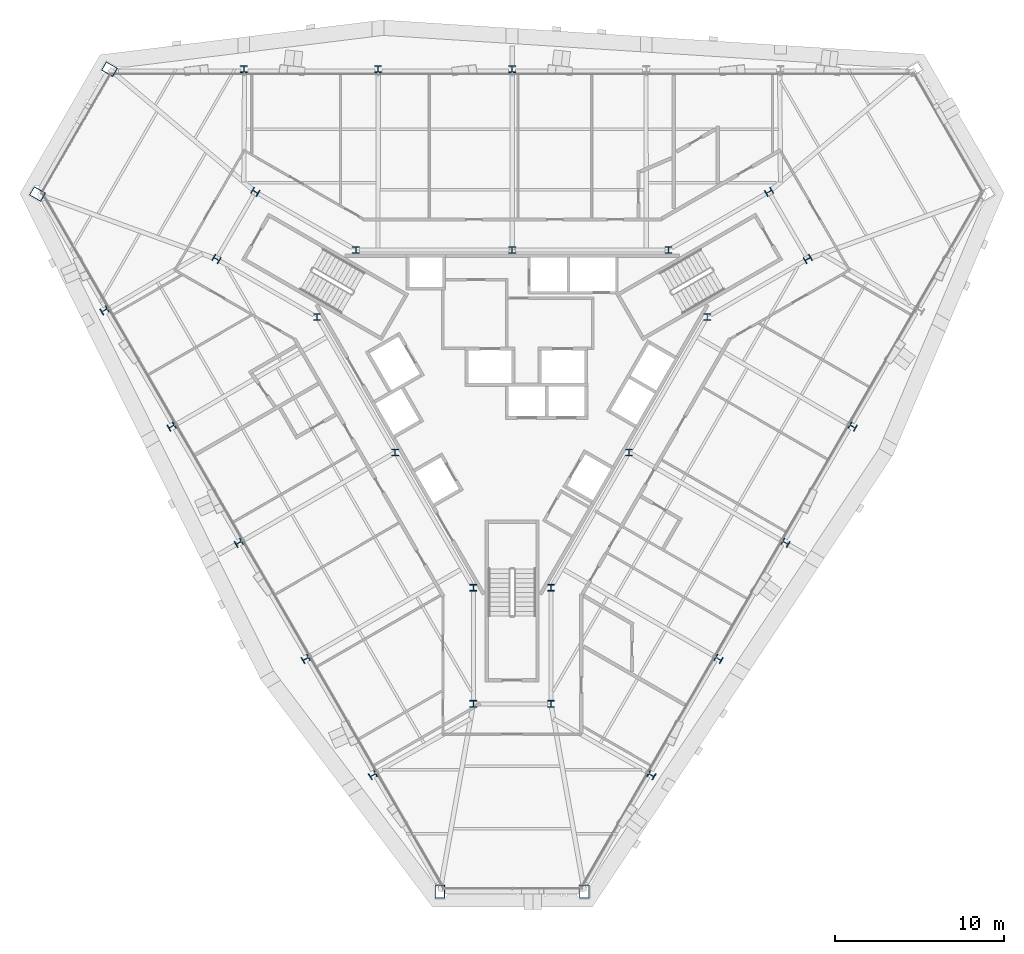
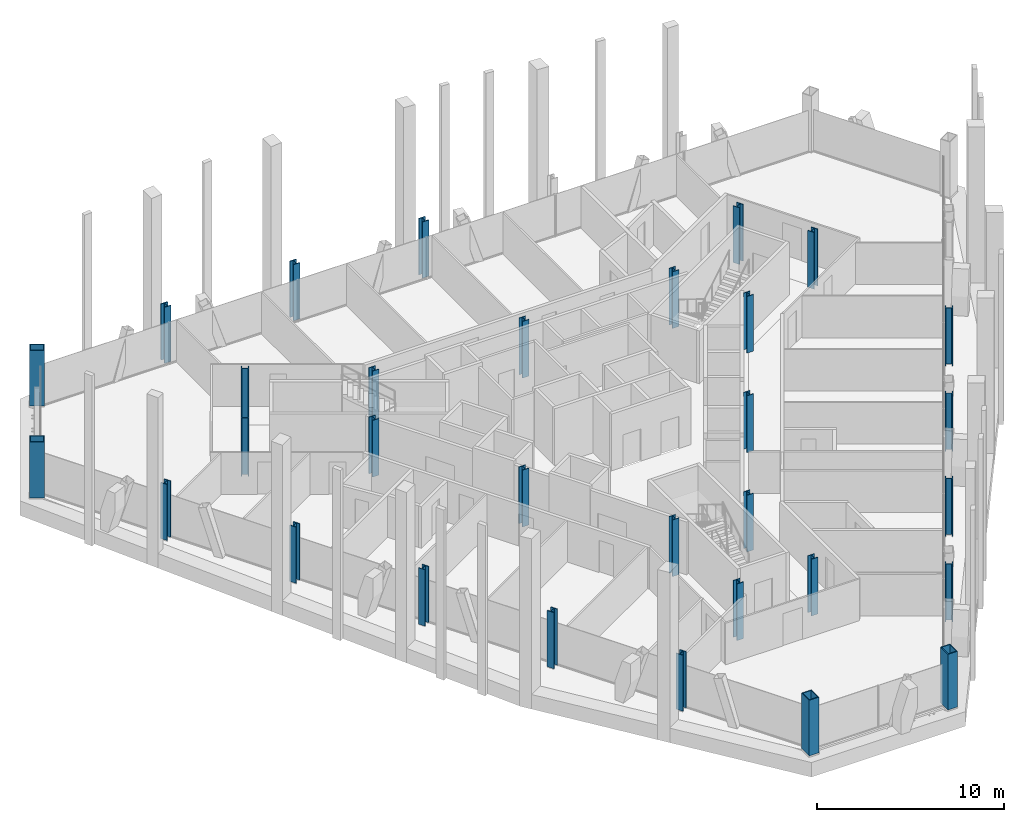
# One storey, part 1 of 15: 31 columns.
"""IFC4 building model written with IfcOpenShell, lengths in metres."""

from ifc_helpers import new_model, si_unit, direction, frame, origin, origin_2d, place, context, subcontext, project, spatial, hollow_rectangle, i_section, extrude, material, material_profile, profile_set, type_object, element, save


model = new_model("IFC4")

# Units and contexts
model_context = context("Model", 3, precision=1e-05, world=origin(), true_north=direction((0.0, 1.0)))
body_context = subcontext(model_context, "Body", "Model", "MODEL_VIEW")
ifc_project = project(units=[si_unit("LENGTHUNIT", "METRE"), si_unit("AREAUNIT", "SQUARE_METRE"), si_unit("VOLUMEUNIT", "CUBIC_METRE"), si_unit("PLANEANGLEUNIT", "RADIAN"), si_unit("MASSUNIT", "GRAM", prefix="KILO")], contexts=[model_context])

# Site, building, storey
site_placement = place(None, origin())
site = spatial("IfcSite", under=ifc_project, at=site_placement, CompositionType="ELEMENT")
building_placement = place(site_placement, origin())
building = spatial("IfcBuilding", under=site, at=building_placement, Name="Verrane Prism Tower", CompositionType="ELEMENT")
storey_placement = place(building_placement, frame((0.0, 0.0, 189.5)))
storey = spatial("IfcBuildingStorey", under=building, at=storey_placement, Name="L47", CompositionType="ELEMENT", Elevation=189.5)

# Columns
ifc_material_1 = material(Name="Steel A992", Category="steel")
ifc_material_profile_1 = material_profile(ifc_material_1, i_section(OverallWidth=0.406494140625, OverallDepth=0.41650390625, WebThickness=0.030029296875, FlangeThickness=0.048095703125, FilletRadius=0.01513671875, at=origin_2d()), Name="W14x257")
ifc_profile_set_1 = profile_set([ifc_material_profile_1], Name="Steel A992")
column_type_1 = type_object("IfcColumnType", Name="Core corner column W14x257", PredefinedType="COLUMN", material=ifc_profile_set_1)
for number, where, z_axis, x_axis, name in (
    (1, (17.52001953125, 7.4599609375, 0.0), (0.0, 0.0, 1.0), (0.5, -0.866025403784, 0.0), "Core corner column CK-NEm L47"),
    (2, (15.219970703125, 11.43994140625, 0.0), (0.0, 0.0, 1.0), (0.5, -0.866025403784, 0.0), "Core corner column CK-NEp L47"),
    (3, (-15.219970703125, 11.43994140625, 0.0), (0.0, 0.0, 1.0), (0.5, 0.866025403784, 0.0), "Core corner column CK-NWm L47"),
    (4, (-17.52001953125, 7.4599609375, 0.0), (0.0, 0.0, 1.0), (0.5, 0.866025403784, 0.0), "Core corner column CK-NWp L47"),
    (5, (-2.300048828125, -18.89990234375, 0.0), (0.0, 0.0, 1.0), (-1.0, 0.0, 0.0), "Core corner column CK-Sm L47"),
    (6, (2.300048828125, -18.89990234375, 0.0), (0.0, 0.0, 1.0), (-1.0, 0.0, 0.0), "Core corner column CK-Sp L47"),
):
    element("IfcColumn", number, at=place(storey_placement, frame(where, z_axis=z_axis, x_axis=x_axis)), inside=storey, type_object=column_type_1, Name=name, PredefinedType="COLUMN", context=body_context, shape_type="SweptSolid", body=[
        extrude(i_section(OverallWidth=0.406494140625, OverallDepth=0.41650390625, WebThickness=0.030029296875, FlangeThickness=0.048095703125, FilletRadius=0.01513671875, at=origin_2d()), origin(), (0.0, 0.0, 1.0), 3.699951171875),
    ])
ifc_material_2 = material(Name="Steel A992", Category="steel")
ifc_material_profile_2 = material_profile(ifc_material_2, i_section(OverallWidth=0.4013671875, OverallDepth=0.398681640625, WebThickness=0.02490234375, FlangeThickness=0.03955078125, FilletRadius=0.01513671875, at=origin_2d()), Name="W14x211")
ifc_profile_set_2 = profile_set([ifc_material_profile_2], Name="Steel A992")
column_type_2 = type_object("IfcColumnType", Name="Core side column W14x211", PredefinedType="COLUMN", material=ifc_profile_set_2)
for number, where, z_axis, x_axis, name in (
    (7, (11.56005859375, 4.02001953125, 0.0), (0.0, 0.0, 1.0), (1.0, 0.0, 0.0), "Core side column CC-NEm L47"),
    (8, (9.260009765625, 8.0, 0.0), (0.0, 0.0, 1.0), (1.0, 0.0, 0.0), "Core side column CC-NEp L47"),
    (9, (0.0, 8.0, 0.0), (0.0, 0.0, 1.0), (1.0, 0.0, 0.0), "Core side column CC-N0 L47"),
    (10, (-9.260009765625, 8.0, 0.0), (0.0, 0.0, 1.0), (1.0, 0.0, 0.0), "Core side column CC-NWm L47"),
    (11, (-11.56005859375, 4.02001953125, 0.0), (0.0, 0.0, 1.0), (1.0, 0.0, 0.0), "Core side column CC-NWp L47"),
    (12, (-6.929931640625, -4.0, 0.0), (0.0, 0.0, 1.0), (1.0, 0.0, 0.0), "Core side column CC-SW0 L47"),
    (13, (-2.300048828125, -12.02001953125, 0.0), (0.0, 0.0, 1.0), (1.0, 0.0, 0.0), "Core side column CC-Sm L47"),
    (14, (2.300048828125, -12.02001953125, 0.0), (0.0, 0.0, 1.0), (1.0, 0.0, 0.0), "Core side column CC-Sp L47"),
    (15, (6.929931640625, -4.0, 0.0), (0.0, 0.0, 1.0), (1.0, 0.0, 0.0), "Core side column CC-SE0 L47"),
):
    element("IfcColumn", number, at=place(storey_placement, frame(where, z_axis=z_axis, x_axis=x_axis)), inside=storey, type_object=column_type_2, Name=name, PredefinedType="COLUMN", context=body_context, shape_type="SweptSolid", body=[
        extrude(i_section(OverallWidth=0.4013671875, OverallDepth=0.398681640625, WebThickness=0.02490234375, FlangeThickness=0.03955078125, FilletRadius=0.01513671875, at=origin_2d()), origin(), (0.0, 0.0, 1.0), 3.699951171875),
    ])
ifc_material_3 = material(Name="Steel A572 Grade 50", Category="steel")
ifc_material_profile_3 = material_profile(ifc_material_3, hollow_rectangle(XDim=0.60009765625, YDim=0.800048828125, WallThickness=0.050048828125, at=origin_2d()), Name="BOX 800x600x50")
ifc_profile_set_3 = profile_set([ifc_material_profile_3], Name="Steel A572 Grade 50")
column_type_3 = type_object("IfcColumnType", Name="Megacolumn BOX 800x600x50", PredefinedType="COLUMN", material=ifc_profile_set_3)
for number, where, z_axis, x_axis, name in (
    (16, (-23.860107421875, 18.7099609375, 0.06494140625), (0.0, 0.0, 1.0), (0.5, 0.866025403784, 0.0), "Megacolumn MC-NW.a L47"),
    (17, (-28.1298828125, 11.31005859375, 0.06494140625), (0.0, 0.0, 1.0), (0.5, 0.866025403784, 0.0), "Megacolumn MC-NW.b L47"),
    (18, (-4.280029296875, -30.02001953125, 0.06494140625), (0.0, 0.0, 1.0), (-1.0, 0.0, 0.0), "Megacolumn MC-S.a L47"),
    (19, (4.280029296875, -30.02001953125, 0.06494140625), (0.0, 0.0, 1.0), (-1.0, 0.0, 0.0), "Megacolumn MC-S.b L47"),
):
    element("IfcColumn", number, at=place(storey_placement, frame(where, z_axis=z_axis, x_axis=x_axis)), inside=storey, type_object=column_type_3, Name=name, PredefinedType="COLUMN", context=body_context, shape_type="SweptSolid", body=[
        extrude(hollow_rectangle(XDim=0.60009765625, YDim=0.800048828125, WallThickness=0.050048828125, at=origin_2d()), origin(), (0.0, 0.0, 1.0), 3.635009765625),
    ])
ifc_material_4 = material(Name="Steel A992", Category="steel")
ifc_material_profile_4 = material_profile(ifc_material_4, i_section(OverallWidth=0.406494140625, OverallDepth=0.41650390625, WebThickness=0.030029296875, FlangeThickness=0.048095703125, FilletRadius=0.01513671875, at=origin_2d()), Name="W14x257")
ifc_profile_set_4 = profile_set([ifc_material_profile_4], Name="Steel A992")
column_type_4 = type_object("IfcColumnType", Name="Perimeter column W14x257", PredefinedType="COLUMN", material=ifc_profile_set_4)
column_1_placement = place(storey_placement, frame((0.0, 18.7099609375, 0.030029296875), z_axis=(0.0, 0.0, 1.0), x_axis=(1.0, 0.0, 0.0)))
element("IfcColumn", 20, at=column_1_placement, inside=storey, type_object=column_type_4, Name="Perimeter column PC-N3 L47", PredefinedType="COLUMN", context=body_context, shape_type="SweptSolid", body=[
    extrude(i_section(OverallWidth=0.406494140625, OverallDepth=0.41650390625, WebThickness=0.030029296875, FlangeThickness=0.048095703125, FilletRadius=0.01513671875, at=origin_2d()), origin(), (0.0, 0.0, 1.0), 3.669921875),
])
column_2_placement = place(storey_placement, frame((-7.949951171875, 18.7099609375, 0.034912109375), z_axis=(0.0, 0.0, 1.0), x_axis=(1.0, 0.0, 0.0)))
element("IfcColumn", 21, at=column_2_placement, inside=storey, type_object=column_type_4, Name="Perimeter column PC-N4 L47", PredefinedType="COLUMN", context=body_context, shape_type="SweptSolid", body=[
    extrude(i_section(OverallWidth=0.406494140625, OverallDepth=0.41650390625, WebThickness=0.030029296875, FlangeThickness=0.048095703125, FilletRadius=0.01513671875, at=origin_2d()), origin(), (0.0, 0.0, 1.0), 3.6650390625),
])
for number, where, z_axis, x_axis, name in (
    (22, (-15.89990234375, 18.7099609375, 0.0400390625), (0.0, 0.0, 1.0), (1.0, 0.0, 0.0), "Perimeter column PC-N5 L47"),
    (23, (-24.159912109375, 4.419921875, 0.0400390625), (0.0, 0.0, 1.0), (-0.5, 0.866025403784, 0.0), "Perimeter column PC-SW1 L47"),
):
    element("IfcColumn", number, at=place(storey_placement, frame(where, z_axis=z_axis, x_axis=x_axis)), inside=storey, type_object=column_type_4, Name=name, PredefinedType="COLUMN", context=body_context, shape_type="SweptSolid", body=[
        extrude(i_section(OverallWidth=0.406494140625, OverallDepth=0.41650390625, WebThickness=0.030029296875, FlangeThickness=0.048095703125, FilletRadius=0.01513671875, at=origin_2d()), origin(), (0.0, 0.0, 1.0), 3.659912109375),
    ])
column_3_placement = place(storey_placement, frame((-20.179931640625, -2.469970703125, 0.034912109375), z_axis=(0.0, 0.0, 1.0), x_axis=(-0.5, 0.866025403784, 0.0)))
element("IfcColumn", 24, at=column_3_placement, inside=storey, type_object=column_type_4, Name="Perimeter column PC-SW2 L47", PredefinedType="COLUMN", context=body_context, shape_type="SweptSolid", body=[
    extrude(i_section(OverallWidth=0.406494140625, OverallDepth=0.41650390625, WebThickness=0.030029296875, FlangeThickness=0.048095703125, FilletRadius=0.01513671875, at=origin_2d()), origin(), (0.0, 0.0, 1.0), 3.6650390625),
])
column_4_placement = place(storey_placement, frame((-16.199951171875, -9.360107421875, 0.030029296875), z_axis=(0.0, 0.0, 1.0), x_axis=(-0.5, 0.866025403784, 0.0)))
element("IfcColumn", 25, at=column_4_placement, inside=storey, type_object=column_type_4, Name="Perimeter column PC-SW3 L47", PredefinedType="COLUMN", context=body_context, shape_type="SweptSolid", body=[
    extrude(i_section(OverallWidth=0.406494140625, OverallDepth=0.41650390625, WebThickness=0.030029296875, FlangeThickness=0.048095703125, FilletRadius=0.01513671875, at=origin_2d()), origin(), (0.0, 0.0, 1.0), 3.669921875),
])
column_5_placement = place(storey_placement, frame((-12.22998046875, -16.239990234375, 0.034912109375), z_axis=(0.0, 0.0, 1.0), x_axis=(-0.5, 0.866025403784, 0.0)))
element("IfcColumn", 26, at=column_5_placement, inside=storey, type_object=column_type_4, Name="Perimeter column PC-SW4 L47", PredefinedType="COLUMN", context=body_context, shape_type="SweptSolid", body=[
    extrude(i_section(OverallWidth=0.406494140625, OverallDepth=0.41650390625, WebThickness=0.030029296875, FlangeThickness=0.048095703125, FilletRadius=0.01513671875, at=origin_2d()), origin(), (0.0, 0.0, 1.0), 3.6650390625),
])
for number, where, z_axis, x_axis, name in (
    (27, (-8.25, -23.1298828125, 0.0400390625), (0.0, 0.0, 1.0), (-0.5, 0.866025403784, 0.0), "Perimeter column PC-SW5 L47"),
    (28, (8.25, -23.1298828125, 0.0400390625), (0.0, 0.0, 1.0), (-0.5, -0.866025403784, 0.0), "Perimeter column PC-SE1 L47"),
):
    element("IfcColumn", number, at=place(storey_placement, frame(where, z_axis=z_axis, x_axis=x_axis)), inside=storey, type_object=column_type_4, Name=name, PredefinedType="COLUMN", context=body_context, shape_type="SweptSolid", body=[
        extrude(i_section(OverallWidth=0.406494140625, OverallDepth=0.41650390625, WebThickness=0.030029296875, FlangeThickness=0.048095703125, FilletRadius=0.01513671875, at=origin_2d()), origin(), (0.0, 0.0, 1.0), 3.659912109375),
    ])
column_6_placement = place(storey_placement, frame((12.22998046875, -16.239990234375, 0.034912109375), z_axis=(0.0, 0.0, 1.0), x_axis=(-0.5, -0.866025403784, 0.0)))
element("IfcColumn", 29, at=column_6_placement, inside=storey, type_object=column_type_4, Name="Perimeter column PC-SE2 L47", PredefinedType="COLUMN", context=body_context, shape_type="SweptSolid", body=[
    extrude(i_section(OverallWidth=0.406494140625, OverallDepth=0.41650390625, WebThickness=0.030029296875, FlangeThickness=0.048095703125, FilletRadius=0.01513671875, at=origin_2d()), origin(), (0.0, 0.0, 1.0), 3.6650390625),
])
column_7_placement = place(storey_placement, frame((16.199951171875, -9.360107421875, 0.030029296875), z_axis=(0.0, 0.0, 1.0), x_axis=(-0.5, -0.866025403784, 0.0)))
element("IfcColumn", 30, at=column_7_placement, inside=storey, type_object=column_type_4, Name="Perimeter column PC-SE3 L47", PredefinedType="COLUMN", context=body_context, shape_type="SweptSolid", body=[
    extrude(i_section(OverallWidth=0.406494140625, OverallDepth=0.41650390625, WebThickness=0.030029296875, FlangeThickness=0.048095703125, FilletRadius=0.01513671875, at=origin_2d()), origin(), (0.0, 0.0, 1.0), 3.669921875),
])
column_8_placement = place(storey_placement, frame((20.179931640625, -2.469970703125, 0.034912109375), z_axis=(0.0, 0.0, 1.0), x_axis=(-0.5, -0.866025403784, 0.0)))
element("IfcColumn", 31, at=column_8_placement, inside=storey, type_object=column_type_4, Name="Perimeter column PC-SE4 L47", PredefinedType="COLUMN", context=body_context, shape_type="SweptSolid", body=[
    extrude(i_section(OverallWidth=0.406494140625, OverallDepth=0.41650390625, WebThickness=0.030029296875, FlangeThickness=0.048095703125, FilletRadius=0.01513671875, at=origin_2d()), origin(), (0.0, 0.0, 1.0), 3.6650390625),
])

save(model, "model.ifc")
